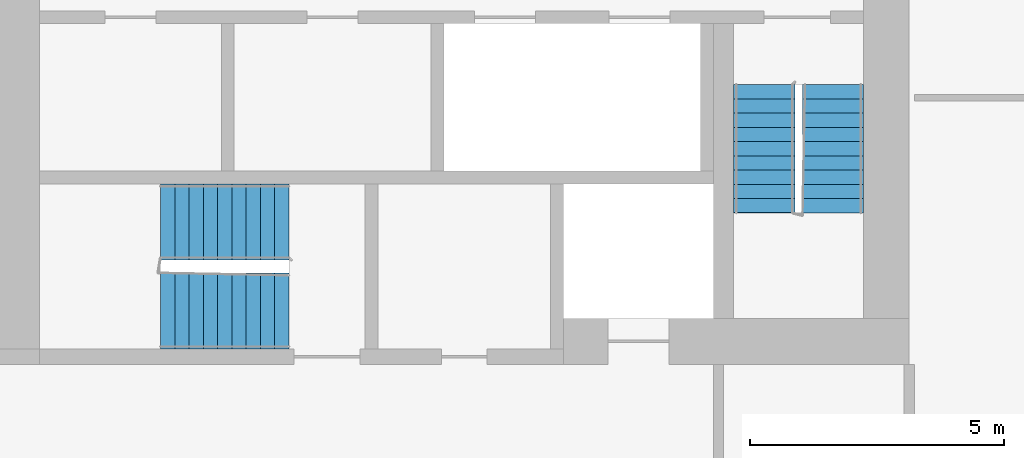
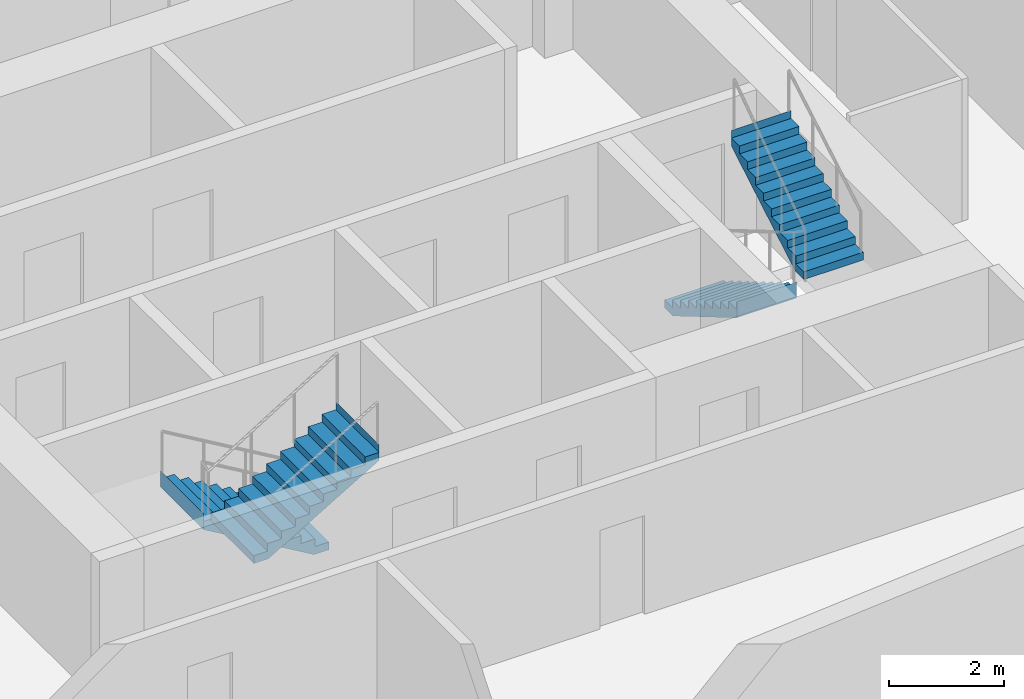
# One storey, part 9 of 12: 4 stair flights, 2 elements without a shape of their own.
"""IFC4 building model written with IfcOpenShell, lengths in metres."""

from ifc_helpers import new_model, si_unit, direction, frame, origin, place, context, subcontext, project, spatial, faceted_brep, material, type_object, element, aggregate, save


model = new_model("IFC4")

# Units and contexts
model_context = context("Model", 3, precision=1e-05, world=origin(), true_north=direction((0.0, 1.0)))
body_context = subcontext(model_context, "Body", "Model", "MODEL_VIEW")
ifc_project = project(units=[si_unit("LENGTHUNIT", "METRE"), si_unit("AREAUNIT", "SQUARE_METRE"), si_unit("VOLUMEUNIT", "CUBIC_METRE"), si_unit("PLANEANGLEUNIT", "RADIAN"), si_unit("MASSUNIT", "GRAM", prefix="KILO")], contexts=[model_context])

# Site, building, storey
site_placement = place(None, origin())
site = spatial("IfcSite", under=ifc_project, at=site_placement, CompositionType="ELEMENT")
building_placement = place(site_placement, origin())
building = spatial("IfcBuilding", under=site, at=building_placement, Name="Kajstack Hotel Tower", CompositionType="ELEMENT")
storey_placement = place(building_placement, frame((0.0, 0.0, 199.89990234375)))
storey = spatial("IfcBuildingStorey", under=building, at=storey_placement, Name="L48", CompositionType="ELEMENT", Elevation=199.89990234375)

# Stair, stair flights
ifc_material = material(Name="Concrete C40/50", Category="concrete")
stair_type_1 = type_object("IfcStairType", Name="Exit stair 1200", PredefinedType="HALF_TURN_STAIR", material=ifc_material)
stair_1_placement = place(storey_placement, origin())
stair_1 = element("IfcStair", 1, at=stair_1_placement, inside=storey, type_object=stair_type_1, Name="L48 stair W2", PredefinedType="HALF_TURN_STAIR")
stair_flight_type_1 = type_object("IfcStairFlightType", Name="Exit stair flight 1200", PredefinedType="STRAIGHT", material=ifc_material)
stair_flight_1_placement = place(storey_placement, frame((-16.35009765625, -10.0, 0.0), z_axis=(0.0, 0.0, 1.0), x_axis=(0.0, -1.0, 0.0)))
stair_flight_1 = element("IfcStairFlight", 2, at=stair_flight_1_placement, type_object=stair_flight_type_1, Name="W2 flight 1", NumberOfRisers=10, NumberOfTreads=9, PredefinedType="STRAIGHT", RiserHeight=0.165, TreadLength=0.28, context=body_context, shape_type="Brep", body=[
    faceted_brep([(0.295654296875, -0.60009765625, 0.0), (2.5205078125, -0.60009765625, 1.31103515625), (2.5205078125, -0.60009765625, 1.64990234375), (2.52001953125, -0.60009765625, 1.64990234375), (2.52001953125, -0.60009765625, 1.485107421875), (2.239990234375, -0.60009765625, 1.485107421875), (2.239990234375, -0.60009765625, 1.320068359375), (1.9599609375, -0.60009765625, 1.320068359375), (1.9599609375, -0.60009765625, 1.155029296875), (1.679931640625, -0.60009765625, 1.155029296875), (1.679931640625, -0.60009765625, 0.989990234375), (1.39990234375, -0.60009765625, 0.989990234375), (1.39990234375, -0.60009765625, 0.824951171875), (1.1201171875, -0.60009765625, 0.824951171875), (1.1201171875, -0.60009765625, 0.659912109375), (0.840087890625, -0.60009765625, 0.659912109375), (0.840087890625, -0.60009765625, 0.4951171875), (0.56005859375, -0.60009765625, 0.4951171875), (0.56005859375, -0.60009765625, 0.330078125), (0.280029296875, -0.60009765625, 0.330078125), (0.280029296875, -0.60009765625, 0.1650390625), (-0.00048828125, -0.60009765625, 0.1650390625), (-0.00048828125, -0.60009765625, 0.0), (-0.00048828125, 0.60009765625, 0.0), (-0.00048828125, 0.60009765625, 0.1650390625), (0.280029296875, 0.60009765625, 0.1650390625), (0.280029296875, 0.60009765625, 0.330078125), (0.56005859375, 0.60009765625, 0.330078125), (0.56005859375, 0.60009765625, 0.4951171875), (0.840087890625, 0.60009765625, 0.4951171875), (0.840087890625, 0.60009765625, 0.659912109375), (1.1201171875, 0.60009765625, 0.659912109375), (1.1201171875, 0.60009765625, 0.824951171875), (1.39990234375, 0.60009765625, 0.824951171875), (1.39990234375, 0.60009765625, 0.989990234375), (1.679931640625, 0.60009765625, 0.989990234375), (1.679931640625, 0.60009765625, 1.155029296875), (1.9599609375, 0.60009765625, 1.155029296875), (1.9599609375, 0.60009765625, 1.320068359375), (2.239990234375, 0.60009765625, 1.320068359375), (2.239990234375, 0.60009765625, 1.485107421875), (2.52001953125, 0.60009765625, 1.485107421875), (2.52001953125, 0.60009765625, 1.64990234375), (2.5205078125, 0.60009765625, 1.64990234375), (2.5205078125, 0.60009765625, 1.31103515625), (0.295654296875, 0.60009765625, 0.0), (-0.00048828125, -0.300048828125, 0.1650390625), (-0.00048828125, 0.0, 0.1650390625), (-0.00048828125, 0.300048828125, 0.1650390625), (-0.00048828125, 0.300048828125, 0.0), (-0.00048828125, 0.0, 0.0), (-0.00048828125, -0.300048828125, 0.0), (0.280029296875, -0.300048828125, 0.1650390625), (0.280029296875, 0.0, 0.1650390625), (0.280029296875, 0.300048828125, 0.1650390625), (0.280029296875, -0.300048828125, 0.330078125), (0.280029296875, 0.0, 0.330078125), (0.280029296875, 0.300048828125, 0.330078125), (0.56005859375, -0.300048828125, 0.330078125), (0.56005859375, 0.0, 0.330078125), (0.56005859375, 0.300048828125, 0.330078125), (0.56005859375, -0.300048828125, 0.4951171875), (0.56005859375, 0.0, 0.4951171875), (0.56005859375, 0.300048828125, 0.4951171875), (0.840087890625, -0.300048828125, 0.4951171875), (0.840087890625, 0.0, 0.4951171875), (0.840087890625, 0.300048828125, 0.4951171875), (0.840087890625, -0.300048828125, 0.659912109375), (0.840087890625, 0.0, 0.659912109375), (0.840087890625, 0.300048828125, 0.659912109375), (1.1201171875, -0.300048828125, 0.659912109375), (1.1201171875, 0.0, 0.659912109375), (1.1201171875, 0.300048828125, 0.659912109375), (1.1201171875, -0.300048828125, 0.824951171875), (1.1201171875, 0.0, 0.824951171875), (1.1201171875, 0.300048828125, 0.824951171875), (1.39990234375, -0.300048828125, 0.824951171875), (1.39990234375, 0.0, 0.824951171875), (1.39990234375, 0.300048828125, 0.824951171875), (1.39990234375, -0.300048828125, 0.989990234375), (1.39990234375, 0.0, 0.989990234375), (1.39990234375, 0.300048828125, 0.989990234375), (1.679931640625, -0.300048828125, 0.989990234375), (1.679931640625, 0.0, 0.989990234375), (1.679931640625, 0.300048828125, 0.989990234375), (1.679931640625, -0.300048828125, 1.155029296875), (1.679931640625, 0.0, 1.155029296875), (1.679931640625, 0.300048828125, 1.155029296875), (1.9599609375, -0.300048828125, 1.155029296875), (1.9599609375, 0.0, 1.155029296875), (1.9599609375, 0.300048828125, 1.155029296875), (1.9599609375, -0.300048828125, 1.320068359375), (1.9599609375, 0.0, 1.320068359375), (1.9599609375, 0.300048828125, 1.320068359375), (2.239990234375, -0.300048828125, 1.320068359375), (2.239990234375, 0.0, 1.320068359375), (2.239990234375, 0.300048828125, 1.320068359375), (2.239990234375, -0.300048828125, 1.485107421875), (2.239990234375, 0.0, 1.485107421875), (2.239990234375, 0.300048828125, 1.485107421875), (2.52001953125, -0.300048828125, 1.485107421875), (2.52001953125, 0.0, 1.485107421875), (2.52001953125, 0.300048828125, 1.485107421875), (2.52001953125, -0.300048828125, 1.64990234375), (2.52001953125, 0.0, 1.64990234375), (2.52001953125, 0.300048828125, 1.64990234375), (2.5205078125, -0.300048828125, 1.64990234375), (2.5205078125, 0.0, 1.64990234375), (2.5205078125, 0.300048828125, 1.64990234375), (2.5205078125, -0.300048828125, 1.31103515625), (2.5205078125, 0.0, 1.31103515625), (2.5205078125, 0.300048828125, 1.31103515625), (0.295654296875, -0.300048828125, 0.0), (0.295654296875, 0.0, 0.0), (0.295654296875, 0.300048828125, 0.0)], [[[0, 1, 2, 3, 4, 5, 6, 7, 8, 9, 10, 11, 12, 13, 14, 15, 16, 17, 18, 19, 20, 21, 22]], [[23, 24, 25, 26, 27, 28, 29, 30, 31, 32, 33, 34, 35, 36, 37, 38, 39, 40, 41, 42, 43, 44, 45]], [[21, 46, 47, 48, 24, 23, 49, 50, 51, 22]], [[20, 52, 53, 54, 25, 24, 48, 47, 46, 21]], [[19, 55, 56, 57, 26, 25, 54, 53, 52, 20]], [[18, 58, 59, 60, 27, 26, 57, 56, 55, 19]], [[17, 61, 62, 63, 28, 27, 60, 59, 58, 18]], [[16, 64, 65, 66, 29, 28, 63, 62, 61, 17]], [[15, 67, 68, 69, 30, 29, 66, 65, 64, 16]], [[14, 70, 71, 72, 31, 30, 69, 68, 67, 15]], [[13, 73, 74, 75, 32, 31, 72, 71, 70, 14]], [[12, 76, 77, 78, 33, 32, 75, 74, 73, 13]], [[11, 79, 80, 81, 34, 33, 78, 77, 76, 12]], [[10, 82, 83, 84, 35, 34, 81, 80, 79, 11]], [[9, 85, 86, 87, 36, 35, 84, 83, 82, 10]], [[8, 88, 89, 90, 37, 36, 87, 86, 85, 9]], [[7, 91, 92, 93, 38, 37, 90, 89, 88, 8]], [[6, 94, 95, 96, 39, 38, 93, 92, 91, 7]], [[5, 97, 98, 99, 40, 39, 96, 95, 94, 6]], [[4, 100, 101, 102, 41, 40, 99, 98, 97, 5]], [[3, 103, 104, 105, 42, 41, 102, 101, 100, 4]], [[2, 106, 107, 108, 43, 42, 105, 104, 103, 3]], [[1, 109, 110, 111, 44, 43, 108, 107, 106, 2]], [[0, 112, 113, 114, 45, 44, 111, 110, 109, 1]], [[22, 51, 50, 49, 23, 45, 114, 113, 112, 0]]]),
])
stair_flight_2_placement = place(storey_placement, frame((-15.0, -12.52001953125, 1.650146484375), z_axis=(0.0, 0.0, 1.0), x_axis=(0.0, 1.0, 0.0)))
stair_flight_2 = element("IfcStairFlight", 3, at=stair_flight_2_placement, type_object=stair_flight_type_1, Name="W2 flight 2", NumberOfRisers=10, NumberOfTreads=9, PredefinedType="STRAIGHT", RiserHeight=0.165, TreadLength=0.28, context=body_context, shape_type="Brep", body=[
    faceted_brep([(0.295654296875, -0.60009765625, 0.0), (2.5205078125, -0.60009765625, 1.31103515625), (2.5205078125, -0.60009765625, 1.64990234375), (2.52001953125, -0.60009765625, 1.64990234375), (2.52001953125, -0.60009765625, 1.485107421875), (2.239990234375, -0.60009765625, 1.485107421875), (2.239990234375, -0.60009765625, 1.320068359375), (1.9599609375, -0.60009765625, 1.320068359375), (1.9599609375, -0.60009765625, 1.155029296875), (1.679931640625, -0.60009765625, 1.155029296875), (1.679931640625, -0.60009765625, 0.989990234375), (1.39990234375, -0.60009765625, 0.989990234375), (1.39990234375, -0.60009765625, 0.824951171875), (1.1201171875, -0.60009765625, 0.824951171875), (1.1201171875, -0.60009765625, 0.659912109375), (0.840087890625, -0.60009765625, 0.659912109375), (0.840087890625, -0.60009765625, 0.4951171875), (0.56005859375, -0.60009765625, 0.4951171875), (0.56005859375, -0.60009765625, 0.330078125), (0.280029296875, -0.60009765625, 0.330078125), (0.280029296875, -0.60009765625, 0.1650390625), (-0.00048828125, -0.60009765625, 0.1650390625), (-0.00048828125, -0.60009765625, 0.0), (-0.00048828125, 0.60009765625, 0.0), (-0.00048828125, 0.60009765625, 0.1650390625), (0.280029296875, 0.60009765625, 0.1650390625), (0.280029296875, 0.60009765625, 0.330078125), (0.56005859375, 0.60009765625, 0.330078125), (0.56005859375, 0.60009765625, 0.4951171875), (0.840087890625, 0.60009765625, 0.4951171875), (0.840087890625, 0.60009765625, 0.659912109375), (1.1201171875, 0.60009765625, 0.659912109375), (1.1201171875, 0.60009765625, 0.824951171875), (1.39990234375, 0.60009765625, 0.824951171875), (1.39990234375, 0.60009765625, 0.989990234375), (1.679931640625, 0.60009765625, 0.989990234375), (1.679931640625, 0.60009765625, 1.155029296875), (1.9599609375, 0.60009765625, 1.155029296875), (1.9599609375, 0.60009765625, 1.320068359375), (2.239990234375, 0.60009765625, 1.320068359375), (2.239990234375, 0.60009765625, 1.485107421875), (2.52001953125, 0.60009765625, 1.485107421875), (2.52001953125, 0.60009765625, 1.64990234375), (2.5205078125, 0.60009765625, 1.64990234375), (2.5205078125, 0.60009765625, 1.31103515625), (0.295654296875, 0.60009765625, 0.0), (-0.00048828125, -0.300048828125, 0.1650390625), (-0.00048828125, 0.0, 0.1650390625), (-0.00048828125, 0.300048828125, 0.1650390625), (-0.00048828125, 0.300048828125, 0.0), (-0.00048828125, 0.0, 0.0), (-0.00048828125, -0.300048828125, 0.0), (0.280029296875, -0.300048828125, 0.1650390625), (0.280029296875, 0.0, 0.1650390625), (0.280029296875, 0.300048828125, 0.1650390625), (0.280029296875, -0.300048828125, 0.330078125), (0.280029296875, 0.0, 0.330078125), (0.280029296875, 0.300048828125, 0.330078125), (0.56005859375, -0.300048828125, 0.330078125), (0.56005859375, 0.0, 0.330078125), (0.56005859375, 0.300048828125, 0.330078125), (0.56005859375, -0.300048828125, 0.4951171875), (0.56005859375, 0.0, 0.4951171875), (0.56005859375, 0.300048828125, 0.4951171875), (0.840087890625, -0.300048828125, 0.4951171875), (0.840087890625, 0.0, 0.4951171875), (0.840087890625, 0.300048828125, 0.4951171875), (0.840087890625, -0.300048828125, 0.659912109375), (0.840087890625, 0.0, 0.659912109375), (0.840087890625, 0.300048828125, 0.659912109375), (1.1201171875, -0.300048828125, 0.659912109375), (1.1201171875, 0.0, 0.659912109375), (1.1201171875, 0.300048828125, 0.659912109375), (1.1201171875, -0.300048828125, 0.824951171875), (1.1201171875, 0.0, 0.824951171875), (1.1201171875, 0.300048828125, 0.824951171875), (1.39990234375, -0.300048828125, 0.824951171875), (1.39990234375, 0.0, 0.824951171875), (1.39990234375, 0.300048828125, 0.824951171875), (1.39990234375, -0.300048828125, 0.989990234375), (1.39990234375, 0.0, 0.989990234375), (1.39990234375, 0.300048828125, 0.989990234375), (1.679931640625, -0.300048828125, 0.989990234375), (1.679931640625, 0.0, 0.989990234375), (1.679931640625, 0.300048828125, 0.989990234375), (1.679931640625, -0.300048828125, 1.155029296875), (1.679931640625, 0.0, 1.155029296875), (1.679931640625, 0.300048828125, 1.155029296875), (1.9599609375, -0.300048828125, 1.155029296875), (1.9599609375, 0.0, 1.155029296875), (1.9599609375, 0.300048828125, 1.155029296875), (1.9599609375, -0.300048828125, 1.320068359375), (1.9599609375, 0.0, 1.320068359375), (1.9599609375, 0.300048828125, 1.320068359375), (2.239990234375, -0.300048828125, 1.320068359375), (2.239990234375, 0.0, 1.320068359375), (2.239990234375, 0.300048828125, 1.320068359375), (2.239990234375, -0.300048828125, 1.485107421875), (2.239990234375, 0.0, 1.485107421875), (2.239990234375, 0.300048828125, 1.485107421875), (2.52001953125, -0.300048828125, 1.485107421875), (2.52001953125, 0.0, 1.485107421875), (2.52001953125, 0.300048828125, 1.485107421875), (2.52001953125, -0.300048828125, 1.64990234375), (2.52001953125, 0.0, 1.64990234375), (2.52001953125, 0.300048828125, 1.64990234375), (2.5205078125, -0.300048828125, 1.64990234375), (2.5205078125, 0.0, 1.64990234375), (2.5205078125, 0.300048828125, 1.64990234375), (2.5205078125, -0.300048828125, 1.31103515625), (2.5205078125, 0.0, 1.31103515625), (2.5205078125, 0.300048828125, 1.31103515625), (0.295654296875, -0.300048828125, 0.0), (0.295654296875, 0.0, 0.0), (0.295654296875, 0.300048828125, 0.0)], [[[0, 1, 2, 3, 4, 5, 6, 7, 8, 9, 10, 11, 12, 13, 14, 15, 16, 17, 18, 19, 20, 21, 22]], [[23, 24, 25, 26, 27, 28, 29, 30, 31, 32, 33, 34, 35, 36, 37, 38, 39, 40, 41, 42, 43, 44, 45]], [[21, 46, 47, 48, 24, 23, 49, 50, 51, 22]], [[20, 52, 53, 54, 25, 24, 48, 47, 46, 21]], [[19, 55, 56, 57, 26, 25, 54, 53, 52, 20]], [[18, 58, 59, 60, 27, 26, 57, 56, 55, 19]], [[17, 61, 62, 63, 28, 27, 60, 59, 58, 18]], [[16, 64, 65, 66, 29, 28, 63, 62, 61, 17]], [[15, 67, 68, 69, 30, 29, 66, 65, 64, 16]], [[14, 70, 71, 72, 31, 30, 69, 68, 67, 15]], [[13, 73, 74, 75, 32, 31, 72, 71, 70, 14]], [[12, 76, 77, 78, 33, 32, 75, 74, 73, 13]], [[11, 79, 80, 81, 34, 33, 78, 77, 76, 12]], [[10, 82, 83, 84, 35, 34, 81, 80, 79, 11]], [[9, 85, 86, 87, 36, 35, 84, 83, 82, 10]], [[8, 88, 89, 90, 37, 36, 87, 86, 85, 9]], [[7, 91, 92, 93, 38, 37, 90, 89, 88, 8]], [[6, 94, 95, 96, 39, 38, 93, 92, 91, 7]], [[5, 97, 98, 99, 40, 39, 96, 95, 94, 6]], [[4, 100, 101, 102, 41, 40, 99, 98, 97, 5]], [[3, 103, 104, 105, 42, 41, 102, 101, 100, 4]], [[2, 106, 107, 108, 43, 42, 105, 104, 103, 3]], [[1, 109, 110, 111, 44, 43, 108, 107, 106, 2]], [[0, 112, 113, 114, 45, 44, 111, 110, 109, 1]], [[22, 51, 50, 49, 23, 45, 114, 113, 112, 0]]]),
])
aggregate(stair_1, [stair_flight_1, stair_flight_2])

stair_type_2 = type_object("IfcStairType", Name="Exit stair 1500", PredefinedType="HALF_TURN_STAIR", material=ifc_material)
stair_2_placement = place(storey_placement, origin())
stair_2 = element("IfcStair", 4, at=stair_2_placement, inside=storey, type_object=stair_type_2, Name="L48 stair W3", PredefinedType="HALF_TURN_STAIR")
stair_flight_type_2 = type_object("IfcStairFlightType", Name="Exit stair flight 1500", PredefinedType="STRAIGHT", material=ifc_material)
stair_flight_3_placement = place(storey_placement, frame((-25.699951171875, -12.699951171875, 0.0), z_axis=(0.0, 0.0, 1.0), x_axis=(-1.0, 0.0, 0.0)))
stair_flight_3 = element("IfcStairFlight", 5, at=stair_flight_3_placement, type_object=stair_flight_type_2, Name="W3 flight 1", NumberOfRisers=10, NumberOfTreads=9, PredefinedType="STRAIGHT", RiserHeight=0.165, TreadLength=0.28, context=body_context, shape_type="Brep", body=[
    faceted_brep([(0.295654296875, -0.75, 0.0), (2.5205078125, -0.75, 1.31103515625), (2.5205078125, -0.75, 1.64990234375), (2.52001953125, -0.75, 1.64990234375), (2.52001953125, -0.75, 1.485107421875), (2.239990234375, -0.75, 1.485107421875), (2.239990234375, -0.75, 1.320068359375), (1.9599609375, -0.75, 1.320068359375), (1.9599609375, -0.75, 1.155029296875), (1.679931640625, -0.75, 1.155029296875), (1.679931640625, -0.75, 0.989990234375), (1.39990234375, -0.75, 0.989990234375), (1.39990234375, -0.75, 0.824951171875), (1.1201171875, -0.75, 0.824951171875), (1.1201171875, -0.75, 0.659912109375), (0.840087890625, -0.75, 0.659912109375), (0.840087890625, -0.75, 0.4951171875), (0.56005859375, -0.75, 0.4951171875), (0.56005859375, -0.75, 0.330078125), (0.280029296875, -0.75, 0.330078125), (0.280029296875, -0.75, 0.1650390625), (-0.00048828125, -0.75, 0.1650390625), (-0.00048828125, -0.75, 0.0), (-0.00048828125, 0.75, 0.0), (-0.00048828125, 0.75, 0.1650390625), (0.280029296875, 0.75, 0.1650390625), (0.280029296875, 0.75, 0.330078125), (0.56005859375, 0.75, 0.330078125), (0.56005859375, 0.75, 0.4951171875), (0.840087890625, 0.75, 0.4951171875), (0.840087890625, 0.75, 0.659912109375), (1.1201171875, 0.75, 0.659912109375), (1.1201171875, 0.75, 0.824951171875), (1.39990234375, 0.75, 0.824951171875), (1.39990234375, 0.75, 0.989990234375), (1.679931640625, 0.75, 0.989990234375), (1.679931640625, 0.75, 1.155029296875), (1.9599609375, 0.75, 1.155029296875), (1.9599609375, 0.75, 1.320068359375), (2.239990234375, 0.75, 1.320068359375), (2.239990234375, 0.75, 1.485107421875), (2.52001953125, 0.75, 1.485107421875), (2.52001953125, 0.75, 1.64990234375), (2.5205078125, 0.75, 1.64990234375), (2.5205078125, 0.75, 1.31103515625), (0.295654296875, 0.75, 0.0), (-0.00048828125, -0.375, 0.1650390625), (-0.00048828125, 0.0, 0.1650390625), (-0.00048828125, 0.375, 0.1650390625), (-0.00048828125, 0.375, 0.0), (-0.00048828125, 0.0, 0.0), (-0.00048828125, -0.375, 0.0), (0.280029296875, -0.375, 0.1650390625), (0.280029296875, 0.0, 0.1650390625), (0.280029296875, 0.375, 0.1650390625), (0.280029296875, -0.375, 0.330078125), (0.280029296875, 0.0, 0.330078125), (0.280029296875, 0.375, 0.330078125), (0.56005859375, -0.375, 0.330078125), (0.56005859375, 0.0, 0.330078125), (0.56005859375, 0.375, 0.330078125), (0.56005859375, -0.375, 0.4951171875), (0.56005859375, 0.0, 0.4951171875), (0.56005859375, 0.375, 0.4951171875), (0.840087890625, -0.375, 0.4951171875), (0.840087890625, 0.0, 0.4951171875), (0.840087890625, 0.375, 0.4951171875), (0.840087890625, -0.375, 0.659912109375), (0.840087890625, 0.0, 0.659912109375), (0.840087890625, 0.375, 0.659912109375), (1.1201171875, -0.375, 0.659912109375), (1.1201171875, 0.0, 0.659912109375), (1.1201171875, 0.375, 0.659912109375), (1.1201171875, -0.375, 0.824951171875), (1.1201171875, 0.0, 0.824951171875), (1.1201171875, 0.375, 0.824951171875), (1.39990234375, -0.375, 0.824951171875), (1.39990234375, 0.0, 0.824951171875), (1.39990234375, 0.375, 0.824951171875), (1.39990234375, -0.375, 0.989990234375), (1.39990234375, 0.0, 0.989990234375), (1.39990234375, 0.375, 0.989990234375), (1.679931640625, -0.375, 0.989990234375), (1.679931640625, 0.0, 0.989990234375), (1.679931640625, 0.375, 0.989990234375), (1.679931640625, -0.375, 1.155029296875), (1.679931640625, 0.0, 1.155029296875), (1.679931640625, 0.375, 1.155029296875), (1.9599609375, -0.375, 1.155029296875), (1.9599609375, 0.0, 1.155029296875), (1.9599609375, 0.375, 1.155029296875), (1.9599609375, -0.375, 1.320068359375), (1.9599609375, 0.0, 1.320068359375), (1.9599609375, 0.375, 1.320068359375), (2.239990234375, -0.375, 1.320068359375), (2.239990234375, 0.0, 1.320068359375), (2.239990234375, 0.375, 1.320068359375), (2.239990234375, -0.375, 1.485107421875), (2.239990234375, 0.0, 1.485107421875), (2.239990234375, 0.375, 1.485107421875), (2.52001953125, -0.375, 1.485107421875), (2.52001953125, 0.0, 1.485107421875), (2.52001953125, 0.375, 1.485107421875), (2.52001953125, -0.375, 1.64990234375), (2.52001953125, 0.0, 1.64990234375), (2.52001953125, 0.375, 1.64990234375), (2.5205078125, -0.375, 1.64990234375), (2.5205078125, 0.0, 1.64990234375), (2.5205078125, 0.375, 1.64990234375), (2.5205078125, -0.375, 1.31103515625), (2.5205078125, 0.0, 1.31103515625), (2.5205078125, 0.375, 1.31103515625), (0.295654296875, -0.375, 0.0), (0.295654296875, 0.0, 0.0), (0.295654296875, 0.375, 0.0)], [[[0, 1, 2, 3, 4, 5, 6, 7, 8, 9, 10, 11, 12, 13, 14, 15, 16, 17, 18, 19, 20, 21, 22]], [[23, 24, 25, 26, 27, 28, 29, 30, 31, 32, 33, 34, 35, 36, 37, 38, 39, 40, 41, 42, 43, 44, 45]], [[21, 46, 47, 48, 24, 23, 49, 50, 51, 22]], [[20, 52, 53, 54, 25, 24, 48, 47, 46, 21]], [[19, 55, 56, 57, 26, 25, 54, 53, 52, 20]], [[18, 58, 59, 60, 27, 26, 57, 56, 55, 19]], [[17, 61, 62, 63, 28, 27, 60, 59, 58, 18]], [[16, 64, 65, 66, 29, 28, 63, 62, 61, 17]], [[15, 67, 68, 69, 30, 29, 66, 65, 64, 16]], [[14, 70, 71, 72, 31, 30, 69, 68, 67, 15]], [[13, 73, 74, 75, 32, 31, 72, 71, 70, 14]], [[12, 76, 77, 78, 33, 32, 75, 74, 73, 13]], [[11, 79, 80, 81, 34, 33, 78, 77, 76, 12]], [[10, 82, 83, 84, 35, 34, 81, 80, 79, 11]], [[9, 85, 86, 87, 36, 35, 84, 83, 82, 10]], [[8, 88, 89, 90, 37, 36, 87, 86, 85, 9]], [[7, 91, 92, 93, 38, 37, 90, 89, 88, 8]], [[6, 94, 95, 96, 39, 38, 93, 92, 91, 7]], [[5, 97, 98, 99, 40, 39, 96, 95, 94, 6]], [[4, 100, 101, 102, 41, 40, 99, 98, 97, 5]], [[3, 103, 104, 105, 42, 41, 102, 101, 100, 4]], [[2, 106, 107, 108, 43, 42, 105, 104, 103, 3]], [[1, 109, 110, 111, 44, 43, 108, 107, 106, 2]], [[0, 112, 113, 114, 45, 44, 111, 110, 109, 1]], [[22, 51, 50, 49, 23, 45, 114, 113, 112, 0]]]),
])
stair_flight_4_placement = place(storey_placement, frame((-28.219970703125, -14.449951171875, 1.650146484375), z_axis=(0.0, 0.0, 1.0), x_axis=(1.0, 0.0, 0.0)))
stair_flight_4 = element("IfcStairFlight", 6, at=stair_flight_4_placement, type_object=stair_flight_type_2, Name="W3 flight 2", NumberOfRisers=10, NumberOfTreads=9, PredefinedType="STRAIGHT", RiserHeight=0.165, TreadLength=0.28, context=body_context, shape_type="Brep", body=[
    faceted_brep([(0.295654296875, -0.75, 0.0), (2.5205078125, -0.75, 1.31103515625), (2.5205078125, -0.75, 1.64990234375), (2.52001953125, -0.75, 1.64990234375), (2.52001953125, -0.75, 1.485107421875), (2.239990234375, -0.75, 1.485107421875), (2.239990234375, -0.75, 1.320068359375), (1.9599609375, -0.75, 1.320068359375), (1.9599609375, -0.75, 1.155029296875), (1.679931640625, -0.75, 1.155029296875), (1.679931640625, -0.75, 0.989990234375), (1.39990234375, -0.75, 0.989990234375), (1.39990234375, -0.75, 0.824951171875), (1.1201171875, -0.75, 0.824951171875), (1.1201171875, -0.75, 0.659912109375), (0.840087890625, -0.75, 0.659912109375), (0.840087890625, -0.75, 0.4951171875), (0.56005859375, -0.75, 0.4951171875), (0.56005859375, -0.75, 0.330078125), (0.280029296875, -0.75, 0.330078125), (0.280029296875, -0.75, 0.1650390625), (-0.00048828125, -0.75, 0.1650390625), (-0.00048828125, -0.75, 0.0), (-0.00048828125, 0.75, 0.0), (-0.00048828125, 0.75, 0.1650390625), (0.280029296875, 0.75, 0.1650390625), (0.280029296875, 0.75, 0.330078125), (0.56005859375, 0.75, 0.330078125), (0.56005859375, 0.75, 0.4951171875), (0.840087890625, 0.75, 0.4951171875), (0.840087890625, 0.75, 0.659912109375), (1.1201171875, 0.75, 0.659912109375), (1.1201171875, 0.75, 0.824951171875), (1.39990234375, 0.75, 0.824951171875), (1.39990234375, 0.75, 0.989990234375), (1.679931640625, 0.75, 0.989990234375), (1.679931640625, 0.75, 1.155029296875), (1.9599609375, 0.75, 1.155029296875), (1.9599609375, 0.75, 1.320068359375), (2.239990234375, 0.75, 1.320068359375), (2.239990234375, 0.75, 1.485107421875), (2.52001953125, 0.75, 1.485107421875), (2.52001953125, 0.75, 1.64990234375), (2.5205078125, 0.75, 1.64990234375), (2.5205078125, 0.75, 1.31103515625), (0.295654296875, 0.75, 0.0), (-0.00048828125, -0.375, 0.1650390625), (-0.00048828125, 0.0, 0.1650390625), (-0.00048828125, 0.375, 0.1650390625), (-0.00048828125, 0.375, 0.0), (-0.00048828125, 0.0, 0.0), (-0.00048828125, -0.375, 0.0), (0.280029296875, -0.375, 0.1650390625), (0.280029296875, 0.0, 0.1650390625), (0.280029296875, 0.375, 0.1650390625), (0.280029296875, -0.375, 0.330078125), (0.280029296875, 0.0, 0.330078125), (0.280029296875, 0.375, 0.330078125), (0.56005859375, -0.375, 0.330078125), (0.56005859375, 0.0, 0.330078125), (0.56005859375, 0.375, 0.330078125), (0.56005859375, -0.375, 0.4951171875), (0.56005859375, 0.0, 0.4951171875), (0.56005859375, 0.375, 0.4951171875), (0.840087890625, -0.375, 0.4951171875), (0.840087890625, 0.0, 0.4951171875), (0.840087890625, 0.375, 0.4951171875), (0.840087890625, -0.375, 0.659912109375), (0.840087890625, 0.0, 0.659912109375), (0.840087890625, 0.375, 0.659912109375), (1.1201171875, -0.375, 0.659912109375), (1.1201171875, 0.0, 0.659912109375), (1.1201171875, 0.375, 0.659912109375), (1.1201171875, -0.375, 0.824951171875), (1.1201171875, 0.0, 0.824951171875), (1.1201171875, 0.375, 0.824951171875), (1.39990234375, -0.375, 0.824951171875), (1.39990234375, 0.0, 0.824951171875), (1.39990234375, 0.375, 0.824951171875), (1.39990234375, -0.375, 0.989990234375), (1.39990234375, 0.0, 0.989990234375), (1.39990234375, 0.375, 0.989990234375), (1.679931640625, -0.375, 0.989990234375), (1.679931640625, 0.0, 0.989990234375), (1.679931640625, 0.375, 0.989990234375), (1.679931640625, -0.375, 1.155029296875), (1.679931640625, 0.0, 1.155029296875), (1.679931640625, 0.375, 1.155029296875), (1.9599609375, -0.375, 1.155029296875), (1.9599609375, 0.0, 1.155029296875), (1.9599609375, 0.375, 1.155029296875), (1.9599609375, -0.375, 1.320068359375), (1.9599609375, 0.0, 1.320068359375), (1.9599609375, 0.375, 1.320068359375), (2.239990234375, -0.375, 1.320068359375), (2.239990234375, 0.0, 1.320068359375), (2.239990234375, 0.375, 1.320068359375), (2.239990234375, -0.375, 1.485107421875), (2.239990234375, 0.0, 1.485107421875), (2.239990234375, 0.375, 1.485107421875), (2.52001953125, -0.375, 1.485107421875), (2.52001953125, 0.0, 1.485107421875), (2.52001953125, 0.375, 1.485107421875), (2.52001953125, -0.375, 1.64990234375), (2.52001953125, 0.0, 1.64990234375), (2.52001953125, 0.375, 1.64990234375), (2.5205078125, -0.375, 1.64990234375), (2.5205078125, 0.0, 1.64990234375), (2.5205078125, 0.375, 1.64990234375), (2.5205078125, -0.375, 1.31103515625), (2.5205078125, 0.0, 1.31103515625), (2.5205078125, 0.375, 1.31103515625), (0.295654296875, -0.375, 0.0), (0.295654296875, 0.0, 0.0), (0.295654296875, 0.375, 0.0)], [[[0, 1, 2, 3, 4, 5, 6, 7, 8, 9, 10, 11, 12, 13, 14, 15, 16, 17, 18, 19, 20, 21, 22]], [[23, 24, 25, 26, 27, 28, 29, 30, 31, 32, 33, 34, 35, 36, 37, 38, 39, 40, 41, 42, 43, 44, 45]], [[21, 46, 47, 48, 24, 23, 49, 50, 51, 22]], [[20, 52, 53, 54, 25, 24, 48, 47, 46, 21]], [[19, 55, 56, 57, 26, 25, 54, 53, 52, 20]], [[18, 58, 59, 60, 27, 26, 57, 56, 55, 19]], [[17, 61, 62, 63, 28, 27, 60, 59, 58, 18]], [[16, 64, 65, 66, 29, 28, 63, 62, 61, 17]], [[15, 67, 68, 69, 30, 29, 66, 65, 64, 16]], [[14, 70, 71, 72, 31, 30, 69, 68, 67, 15]], [[13, 73, 74, 75, 32, 31, 72, 71, 70, 14]], [[12, 76, 77, 78, 33, 32, 75, 74, 73, 13]], [[11, 79, 80, 81, 34, 33, 78, 77, 76, 12]], [[10, 82, 83, 84, 35, 34, 81, 80, 79, 11]], [[9, 85, 86, 87, 36, 35, 84, 83, 82, 10]], [[8, 88, 89, 90, 37, 36, 87, 86, 85, 9]], [[7, 91, 92, 93, 38, 37, 90, 89, 88, 8]], [[6, 94, 95, 96, 39, 38, 93, 92, 91, 7]], [[5, 97, 98, 99, 40, 39, 96, 95, 94, 6]], [[4, 100, 101, 102, 41, 40, 99, 98, 97, 5]], [[3, 103, 104, 105, 42, 41, 102, 101, 100, 4]], [[2, 106, 107, 108, 43, 42, 105, 104, 103, 3]], [[1, 109, 110, 111, 44, 43, 108, 107, 106, 2]], [[0, 112, 113, 114, 45, 44, 111, 110, 109, 1]], [[22, 51, 50, 49, 23, 45, 114, 113, 112, 0]]]),
])
aggregate(stair_2, [stair_flight_3, stair_flight_4])

save(model, "model.ifc")
